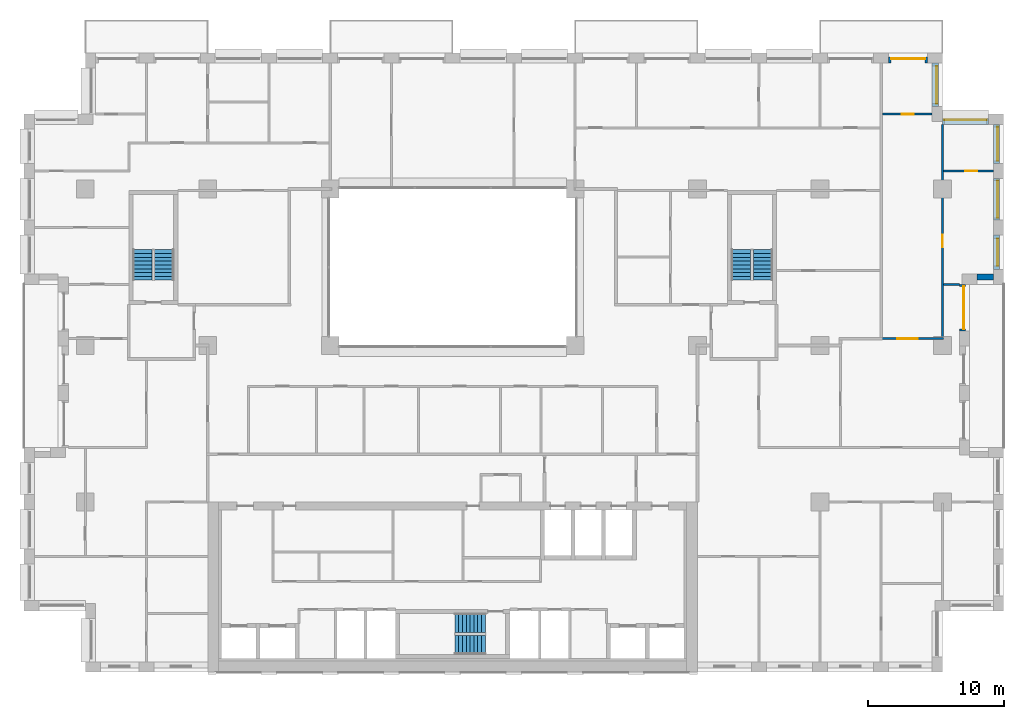
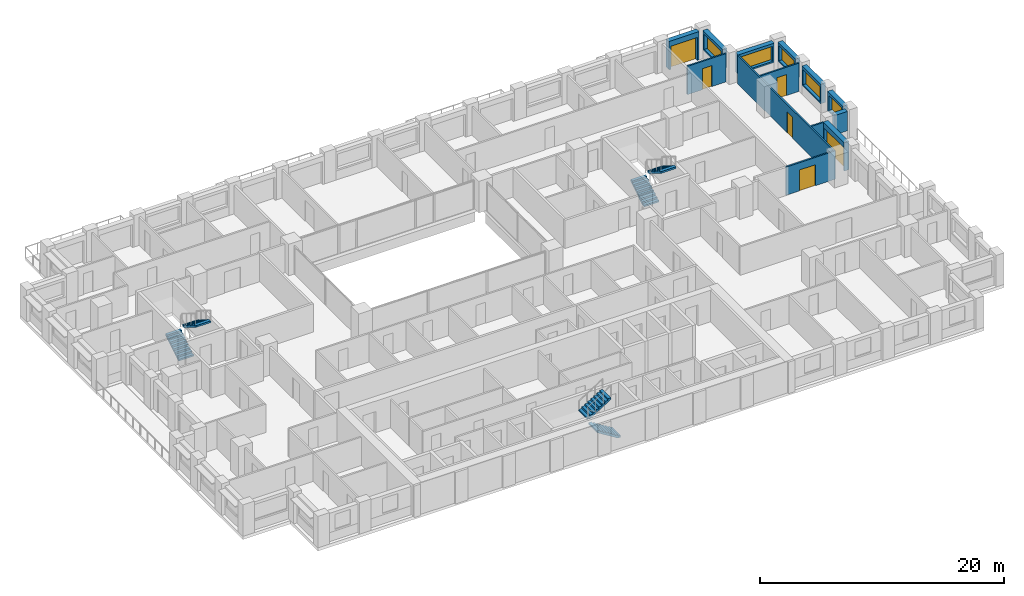
# One storey, part 15 of 16: 13 walls, 6 doors, 6 stair flights, 5 windows, 11 openings, 3 elements without a shape of their own.
"""IFC4 building model written with IfcOpenShell, lengths in metres."""

from ifc_helpers import new_model, si_unit, direction, frame, frame_2d, origin, place, context, subcontext, project, spatial, polyline, rectangle, outline, extrude, material, layer, layer_set, type_object, element, fill, aggregate, save


model = new_model("IFC4")

# Units and contexts
model_context = context("Model", 3, precision=1e-05, world=origin(), true_north=direction((0.0, 1.0)))
body_context = subcontext(model_context, "Body", "Model", "MODEL_VIEW")
ifc_project = project(units=[si_unit("LENGTHUNIT", "METRE"), si_unit("AREAUNIT", "SQUARE_METRE"), si_unit("VOLUMEUNIT", "CUBIC_METRE"), si_unit("PLANEANGLEUNIT", "RADIAN"), si_unit("MASSUNIT", "GRAM", prefix="KILO")], contexts=[model_context])

# Site, building, storey
site_placement = place(None, origin())
site = spatial("IfcSite", under=ifc_project, at=site_placement, CompositionType="ELEMENT")
building_placement = place(site_placement, origin())
building = spatial("IfcBuilding", under=site, at=building_placement, Name="Brigalow Station Residences", CompositionType="ELEMENT")
storey_placement = place(building_placement, frame((0.0, 0.0, 99.300048828125)))
storey = spatial("IfcBuildingStorey", under=building, at=storey_placement, Name="L28", CompositionType="ELEMENT", Elevation=99.300048828125)

# Wall, opening, door
ifc_material_1 = material(Name="Clay brick masonry", Category="masonry")
ifc_layer_1 = layer(ifc_material_1, 0.449951171875)
ifc_layer_set_1 = layer_set([ifc_layer_1], Name="BRICK INFILL WALL 450")
wall_type_1 = type_object("IfcWallType", Name="BRICK INFILL WALL 450", PredefinedType="SOLIDWALL", material=ifc_layer_set_1)
wall_1_placement = place(storey_placement, frame((73.47509765625, 25.050048828125, 0.0), z_axis=(0.0, 0.0, 1.0), x_axis=(0.0, 1.0, 0.0)))
wall_1 = element("IfcWall", 1, at=wall_1_placement, inside=storey, type_object=wall_type_1, Name="L28/ewall/W-L28-16", PredefinedType="SOLIDWALL", context=body_context, shape_type="SweptSolid", body=[
    extrude(rectangle(XDim=3.449951171875, YDim=0.449951171875, at=frame_2d((1.72509765625, 0.0))), origin(), (0.0, 0.0, 1.0), 2.829833984375),
])
opening_1_placement = place(wall_1_placement, frame((0.14990234375, 0.0, 0.0)))
opening_1 = element("IfcOpeningElement", 2, at=opening_1_placement, cuts=wall_1, Name="Opening D-B3150", PredefinedType="OPENING", context=body_context, shape_type="SweptSolid", body=[
    extrude(rectangle(XDim=3.14990234375, YDim=2.300048828125, at=frame_2d((1.574951171875, 1.14990234375))), frame((0.0, 0.23486328125, 0.0), z_axis=(0.0, -1.0, 0.0), x_axis=(1.0, 0.0, 0.0)), (0.0, 0.0, 1.0), 0.469970703125),
])
ifc_material_2 = material(Name="Anodised aluminium frame with double glazing", Category="aluminium")
door_type_1 = type_object("IfcDoorType", Name="BALCONY SLIDING DOOR 3150x2300", OperationType="SLIDING_TO_LEFT", PredefinedType="DOOR", material=ifc_material_2)
door_1_placement = place(opening_1_placement, origin())
door_1 = element("IfcDoor", 3, at=door_1_placement, inside=storey, type_object=door_type_1, Name="L28/balcony-door/W-L28-16", OperationType="SLIDING_TO_LEFT", OverallHeight=2.300048828125, OverallWidth=3.14990234375, PredefinedType="DOOR", context=body_context, shape_type="SweptSolid", body=[
    extrude(rectangle(XDim=3.14990234375, YDim=2.300048828125, at=frame_2d((1.574951171875, 1.14990234375))), frame((0.0, -0.06982421875, 0.0), z_axis=(0.0, -1.0, 0.0), x_axis=(1.0, 0.0, 0.0)), (0.0, 0.0, 1.0), 0.050048828125),
])
fill(opening_1, door_1)

# Wall
wall_2_placement = place(storey_placement, frame((74.550048828125, 29.02490234375, 0.89990234375), z_axis=(0.0, 0.0, 1.0), x_axis=(1.0, 0.0, 0.0)))
element("IfcWall", 4, at=wall_2_placement, inside=storey, type_object=wall_type_1, Name="L28/ewall/W-L28-17", PredefinedType="SOLIDWALL", context=body_context, shape_type="SweptSolid", body=[
    extrude(rectangle(XDim=1.199951171875, YDim=0.449951171875, at=frame_2d((0.60009765625, 0.0))), origin(), (0.0, 0.0, 1.0), 1.929931640625),
])

# Wall, opening, window
wall_3_placement = place(storey_placement, frame((75.97509765625, 29.60009765625, 0.89990234375), z_axis=(0.0, 0.0, 1.0), x_axis=(0.0, 1.0, 0.0)))
wall_3 = element("IfcWall", 5, at=wall_3_placement, inside=storey, type_object=wall_type_1, Name="L28/ewall/W-L28-18", PredefinedType="SOLIDWALL", context=body_context, shape_type="SweptSolid", body=[
    extrude(rectangle(XDim=2.516845703125, YDim=0.449951171875, at=frame_2d((1.25830078125, 0.0))), origin(), (0.0, 0.0, 1.0), 1.929931640625),
])
opening_2_placement = place(wall_3_placement, frame((0.258544921875, 0.0, 0.14990234375)))
opening_2 = element("IfcOpeningElement", 6, at=opening_2_placement, cuts=wall_3, Name="Opening WT-7", PredefinedType="OPENING", context=body_context, shape_type="SweptSolid", body=[
    extrude(rectangle(XDim=2.0, YDim=1.5, at=frame_2d((1.0, 0.75))), frame((0.0, 0.23486328125, 0.0), z_axis=(0.0, -1.0, 0.0), x_axis=(1.0, 0.0, 0.0)), (0.0, 0.0, 1.0), 0.469970703125),
])
ifc_material_3 = material(Name="Anodised aluminium frame with double glazing", Category="aluminium")
window_type_1 = type_object("IfcWindowType", Name="WINDOW 2000x1500", PartitioningType="SINGLE_PANEL", PredefinedType="WINDOW", material=ifc_material_3)
window_1_placement = place(opening_2_placement, origin())
window_1 = element("IfcWindow", 7, at=window_1_placement, inside=storey, type_object=window_type_1, Name="L28/window/W-L28-18", OverallHeight=1.5, OverallWidth=2.0, PartitioningType="SINGLE_PANEL", PredefinedType="WINDOW", context=body_context, shape_type="SweptSolid", body=[
    extrude(rectangle(XDim=2.0, YDim=1.5, at=frame_2d((1.0, 0.75))), frame((0.0, -0.06494140625, 0.0), z_axis=(0.0, -1.0, 0.0), x_axis=(1.0, 0.0, 0.0)), (0.0, 0.0, 1.0), 0.06005859375),
])
fill(opening_2, window_1)

wall_4_placement = place(storey_placement, frame((75.97509765625, 33.217041015625, 0.89990234375), z_axis=(0.0, 0.0, 1.0), x_axis=(0.0, 1.0, 0.0)))
wall_4 = element("IfcWall", 8, at=wall_4_placement, inside=storey, type_object=wall_type_1, Name="L28/ewall/W-L28-19", PredefinedType="SOLIDWALL", context=body_context, shape_type="SweptSolid", body=[
    extrude(rectangle(XDim=3.06591796875, YDim=0.449951171875, at=frame_2d((1.532958984375, 0.0))), origin(), (0.0, 0.0, 1.0), 1.929931640625),
])
opening_3_placement = place(wall_4_placement, frame((0.157958984375, 0.0, 0.14990234375)))
opening_3 = element("IfcOpeningElement", 9, at=opening_3_placement, cuts=wall_4, Name="Opening WT-3", PredefinedType="OPENING", context=body_context, shape_type="SweptSolid", body=[
    extrude(rectangle(XDim=2.75, YDim=1.5, at=frame_2d((1.375, 0.75))), frame((0.0, 0.23486328125, 0.0), z_axis=(0.0, -1.0, 0.0), x_axis=(1.0, 0.0, 0.0)), (0.0, 0.0, 1.0), 0.469970703125),
])
ifc_material_4 = material(Name="Anodised aluminium frame with double glazing", Category="aluminium")
window_type_2 = type_object("IfcWindowType", Name="WINDOW 2750x1500", PartitioningType="SINGLE_PANEL", PredefinedType="WINDOW", material=ifc_material_4)
window_2_placement = place(opening_3_placement, origin())
window_2 = element("IfcWindow", 10, at=window_2_placement, inside=storey, type_object=window_type_2, Name="L28/window/W-L28-19", OverallHeight=1.5, OverallWidth=2.75, PartitioningType="SINGLE_PANEL", PredefinedType="WINDOW", context=body_context, shape_type="SweptSolid", body=[
    extrude(rectangle(XDim=2.75, YDim=1.5, at=frame_2d((1.375, 0.75))), frame((0.0, -0.06494140625, 0.0), z_axis=(0.0, -1.0, 0.0), x_axis=(1.0, 0.0, 0.0)), (0.0, 0.0, 1.0), 0.06005859375),
])
fill(opening_3, window_2)

wall_5_placement = place(storey_placement, frame((75.97509765625, 37.383056640625, 0.89990234375), z_axis=(0.0, 0.0, 1.0), x_axis=(0.0, 1.0, 0.0)))
wall_5 = element("IfcWall", 11, at=wall_5_placement, inside=storey, type_object=wall_type_1, Name="L28/ewall/W-L28-20", PredefinedType="SOLIDWALL", context=body_context, shape_type="SweptSolid", body=[
    extrude(rectangle(XDim=2.866943359375, YDim=0.449951171875, at=frame_2d((1.43359375, 0.0))), origin(), (0.0, 0.0, 1.0), 1.929931640625),
])
opening_4_placement = place(wall_5_placement, frame((0.18359375, 0.0, 0.14990234375)))
opening_4 = element("IfcOpeningElement", 12, at=opening_4_placement, cuts=wall_5, Name="Opening WT-5", PredefinedType="OPENING", context=body_context, shape_type="SweptSolid", body=[
    extrude(rectangle(XDim=2.5, YDim=1.5, at=frame_2d((1.25, 0.75))), frame((0.0, 0.23486328125, 0.0), z_axis=(0.0, -1.0, 0.0), x_axis=(1.0, 0.0, 0.0)), (0.0, 0.0, 1.0), 0.469970703125),
])
ifc_material_5 = material(Name="Anodised aluminium frame with double glazing", Category="aluminium")
window_type_3 = type_object("IfcWindowType", Name="WINDOW 2500x1500", PartitioningType="SINGLE_PANEL", PredefinedType="WINDOW", material=ifc_material_5)
window_3_placement = place(opening_4_placement, origin())
window_3 = element("IfcWindow", 13, at=window_3_placement, inside=storey, type_object=window_type_3, Name="L28/window/W-L28-20", OverallHeight=1.5, OverallWidth=2.5, PartitioningType="SINGLE_PANEL", PredefinedType="WINDOW", context=body_context, shape_type="SweptSolid", body=[
    extrude(rectangle(XDim=2.5, YDim=1.5, at=frame_2d((1.25, 0.75))), frame((0.0, -0.06494140625, 0.0), z_axis=(0.0, -1.0, 0.0), x_axis=(1.0, 0.0, 0.0)), (0.0, 0.0, 1.0), 0.06005859375),
])
fill(opening_4, window_3)

wall_6_placement = place(storey_placement, frame((75.39990234375, 40.47509765625, 0.89990234375), z_axis=(0.0, 0.0, 1.0), x_axis=(-1.0, 0.0, 0.0)))
wall_6 = element("IfcWall", 14, at=wall_6_placement, inside=storey, type_object=wall_type_1, Name="L28/ewall/W-L28-21", PredefinedType="SOLIDWALL", context=body_context, shape_type="SweptSolid", body=[
    extrude(rectangle(XDim=3.39990234375, YDim=0.449951171875, at=frame_2d((1.699951171875, 0.0))), origin(), (0.0, 0.0, 1.0), 1.929931640625),
])
opening_5_placement = place(wall_6_placement, frame((0.14990234375, 0.0, 0.14990234375)))
opening_5 = element("IfcOpeningElement", 15, at=opening_5_placement, cuts=wall_6, Name="Opening WT-8", PredefinedType="OPENING", context=body_context, shape_type="SweptSolid", body=[
    extrude(rectangle(XDim=3.10009765625, YDim=1.5, at=frame_2d((1.550048828125, 0.75))), frame((0.0, 0.23486328125, 0.0), z_axis=(0.0, -1.0, 0.0), x_axis=(1.0, 0.0, 0.0)), (0.0, 0.0, 1.0), 0.469970703125),
])
ifc_material_6 = material(Name="Anodised aluminium frame with double glazing", Category="aluminium")
window_type_4 = type_object("IfcWindowType", Name="WINDOW 3100x1500", PartitioningType="SINGLE_PANEL", PredefinedType="WINDOW", material=ifc_material_6)
window_4_placement = place(opening_5_placement, origin())
window_4 = element("IfcWindow", 16, at=window_4_placement, inside=storey, type_object=window_type_4, Name="L28/window/W-L28-21", OverallHeight=1.5, OverallWidth=3.10009765625, PartitioningType="SINGLE_PANEL", PredefinedType="WINDOW", context=body_context, shape_type="SweptSolid", body=[
    extrude(rectangle(XDim=3.10009765625, YDim=1.5, at=frame_2d((1.550048828125, 0.75))), frame((0.0, -0.06494140625, 0.0), z_axis=(0.0, -1.0, 0.0), x_axis=(1.0, 0.0, 0.0)), (0.0, 0.0, 1.0), 0.06005859375),
])
fill(opening_5, window_4)

wall_7_placement = place(storey_placement, frame((71.47509765625, 41.550048828125, 0.89990234375), z_axis=(0.0, 0.0, 1.0), x_axis=(0.0, 1.0, 0.0)))
wall_7 = element("IfcWall", 17, at=wall_7_placement, inside=storey, type_object=wall_type_1, Name="L28/ewall/W-L28-22", PredefinedType="SOLIDWALL", context=body_context, shape_type="SweptSolid", body=[
    extrude(rectangle(XDim=3.199951171875, YDim=0.449951171875, at=frame_2d((1.60009765625, 0.0))), origin(), (0.0, 0.0, 1.0), 1.929931640625),
])
opening_6_placement = place(wall_7_placement, frame((0.22509765625, 0.0, 0.14990234375)))
opening_6 = element("IfcOpeningElement", 18, at=opening_6_placement, cuts=wall_7, Name="Opening WT-3", PredefinedType="OPENING", context=body_context, shape_type="SweptSolid", body=[
    extrude(rectangle(XDim=2.75, YDim=1.5, at=frame_2d((1.375, 0.75))), frame((0.0, 0.23486328125, 0.0), z_axis=(0.0, -1.0, 0.0), x_axis=(1.0, 0.0, 0.0)), (0.0, 0.0, 1.0), 0.469970703125),
])
window_5_placement = place(opening_6_placement, origin())
window_5 = element("IfcWindow", 19, at=window_5_placement, inside=storey, type_object=window_type_2, Name="L28/window/W-L28-22", OverallHeight=1.5, OverallWidth=2.75, PartitioningType="SINGLE_PANEL", PredefinedType="WINDOW", context=body_context, shape_type="SweptSolid", body=[
    extrude(rectangle(XDim=2.75, YDim=1.5, at=frame_2d((1.375, 0.75))), frame((0.0, -0.06494140625, 0.0), z_axis=(0.0, -1.0, 0.0), x_axis=(1.0, 0.0, 0.0)), (0.0, 0.0, 1.0), 0.06005859375),
])
fill(opening_6, window_5)

# Wall, opening, door
wall_8_placement = place(storey_placement, frame((70.89990234375, 44.97509765625, 0.0), z_axis=(0.0, 0.0, 1.0), x_axis=(-1.0, 0.0, 0.0)))
wall_8 = element("IfcWall", 20, at=wall_8_placement, inside=storey, type_object=wall_type_1, Name="L28/ewall/W-L28-23", PredefinedType="SOLIDWALL", context=body_context, shape_type="SweptSolid", body=[
    extrude(rectangle(XDim=2.849853515625, YDim=0.449951171875, at=frame_2d((1.4248046875, 0.0))), origin(), (0.0, 0.0, 1.0), 2.829833984375),
])
opening_7_placement = place(wall_8_placement, frame((0.175048828125, 0.0, 0.0)))
opening_7 = element("IfcOpeningElement", 21, at=opening_7_placement, cuts=wall_8, Name="Opening D-B2500", PredefinedType="OPENING", context=body_context, shape_type="SweptSolid", body=[
    extrude(rectangle(XDim=2.5, YDim=2.300048828125, at=frame_2d((1.25, 1.14990234375))), frame((0.0, 0.23486328125, 0.0), z_axis=(0.0, -1.0, 0.0), x_axis=(1.0, 0.0, 0.0)), (0.0, 0.0, 1.0), 0.469970703125),
])
ifc_material_7 = material(Name="Anodised aluminium frame with double glazing", Category="aluminium")
door_type_2 = type_object("IfcDoorType", Name="BALCONY SLIDING DOOR 2500x2300", OperationType="SLIDING_TO_LEFT", PredefinedType="DOOR", material=ifc_material_7)
door_2_placement = place(opening_7_placement, origin())
door_2 = element("IfcDoor", 22, at=door_2_placement, inside=storey, type_object=door_type_2, Name="L28/balcony-door/W-L28-23", OperationType="SLIDING_TO_LEFT", OverallHeight=2.300048828125, OverallWidth=2.5, PredefinedType="DOOR", context=body_context, shape_type="SweptSolid", body=[
    extrude(rectangle(XDim=2.5, YDim=2.300048828125, at=frame_2d((1.25, 1.14990234375))), frame((0.0, -0.06982421875, 0.0), z_axis=(0.0, -1.0, 0.0), x_axis=(1.0, 0.0, 0.0)), (0.0, 0.0, 1.0), 0.050048828125),
])
fill(opening_7, door_2)

ifc_material_8 = material(Name="Plasterboard on steel stud partition", Category="steel")
ifc_layer_2 = layer(ifc_material_8, 0.14990234375)
ifc_layer_set_2 = layer_set([ifc_layer_2], Name="FLAT PARTITION 150")
wall_type_2 = type_object("IfcWallType", Name="FLAT PARTITION 150", PredefinedType="PARTITIONING", material=ifc_layer_set_2)
wall_9_placement = place(storey_placement, frame((67.39990234375, 24.5, 0.0), z_axis=(0.0, 0.0, 1.0), x_axis=(1.0, 0.0, 0.0)))
wall_9 = element("IfcWall", 23, at=wall_9_placement, inside=storey, type_object=wall_type_2, Name="PW-2B19", PredefinedType="PARTITIONING", context=body_context, shape_type="SweptSolid", body=[
    extrude(rectangle(XDim=4.675048828125, YDim=0.14990234375, at=frame_2d((2.33740234375, 0.0))), origin(), (0.0, 0.0, 1.0), 2.829833984375),
])
opening_8_placement = place(wall_9_placement, frame((1.27490234375, 0.0, 0.0)))
opening_8 = element("IfcOpeningElement", 24, at=opening_8_placement, cuts=wall_9, Name="Opening D-2B43", PredefinedType="OPENING", context=body_context, shape_type="SweptSolid", body=[
    extrude(rectangle(XDim=1.5, YDim=2.10009765625, at=frame_2d((0.75, 1.050048828125))), frame((0.0, 0.0849609375, 0.0), z_axis=(0.0, -1.0, 0.0), x_axis=(1.0, 0.0, 0.0)), (0.0, 0.0, 1.0), 0.169921875),
])
ifc_material_9 = material(Name="Solid-core timber door leaf", Category="wood")
door_type_3 = type_object("IfcDoorType", Name="INTERNAL DOUBLE DOOR 1500 x 2100", OperationType="DOUBLE_DOOR_SINGLE_SWING", PredefinedType="DOOR", material=ifc_material_9)
door_3_placement = place(opening_8_placement, origin())
door_3 = element("IfcDoor", 25, at=door_3_placement, inside=storey, type_object=door_type_3, Name="D-2B43", OperationType="DOUBLE_DOOR_SINGLE_SWING", OverallHeight=2.10009765625, OverallWidth=1.5, PredefinedType="DOOR", context=body_context, shape_type="SweptSolid", body=[
    extrude(rectangle(XDim=1.5, YDim=2.10009765625, at=frame_2d((0.75, 1.050048828125))), frame((0.0, 0.02490234375, 0.0), z_axis=(0.0, -1.0, 0.0), x_axis=(1.0, 0.0, 0.0)), (0.0, 0.0, 1.0), 0.050048828125),
])
fill(opening_8, door_3)

# Wall
wall_10_placement = place(storey_placement, frame((72.074951171875, 28.5, 0.0), z_axis=(0.0, 0.0, 1.0), x_axis=(1.0, 0.0, 0.0)))
element("IfcWall", 26, at=wall_10_placement, inside=storey, type_object=wall_type_2, Name="PW-2B22", PredefinedType="PARTITIONING", context=body_context, shape_type="SweptSolid", body=[
    extrude(rectangle(XDim=1.175048828125, YDim=0.14990234375, at=frame_2d((0.58740234375, 0.0))), origin(), (0.0, 0.0, 1.0), 2.829833984375),
])

# Wall, opening, door
wall_11_placement = place(storey_placement, frame((72.074951171875, 36.8330078125, 0.0), z_axis=(0.0, 0.0, 1.0), x_axis=(1.0, 0.0, 0.0)))
wall_11 = element("IfcWall", 27, at=wall_11_placement, inside=storey, type_object=wall_type_2, Name="PW-2B25", PredefinedType="PARTITIONING", context=body_context, shape_type="SweptSolid", body=[
    extrude(rectangle(XDim=3.675048828125, YDim=0.14990234375, at=frame_2d((1.83740234375, 0.0))), origin(), (0.0, 0.0, 1.0), 2.829833984375),
])
opening_9_placement = place(wall_11_placement, frame((1.60009765625, 0.0, 0.0)))
opening_9 = element("IfcOpeningElement", 28, at=opening_9_placement, cuts=wall_11, Name="Opening D-2B45", PredefinedType="OPENING", context=body_context, shape_type="SweptSolid", body=[
    extrude(rectangle(XDim=0.89990234375, YDim=2.10009765625, at=frame_2d((0.449951171875, 1.050048828125))), frame((0.0, 0.0849609375, 0.0), z_axis=(0.0, -1.0, 0.0), x_axis=(1.0, 0.0, 0.0)), (0.0, 0.0, 1.0), 0.169921875),
])
ifc_material_10 = material(Name="Solid-core timber door leaf", Category="wood")
door_type_4 = type_object("IfcDoorType", Name="INTERNAL DOOR 900 x 2100", OperationType="SINGLE_SWING_LEFT", PredefinedType="DOOR", material=ifc_material_10)
door_4_placement = place(opening_9_placement, origin())
door_4 = element("IfcDoor", 29, at=door_4_placement, inside=storey, type_object=door_type_4, Name="D-2B45", OperationType="SINGLE_SWING_RIGHT", OverallHeight=2.10009765625, OverallWidth=0.89990234375, PredefinedType="DOOR", context=body_context, shape_type="SweptSolid", body=[
    extrude(rectangle(XDim=0.89990234375, YDim=2.10009765625, at=frame_2d((0.449951171875, 1.050048828125))), frame((0.0, 0.02490234375, 0.0), z_axis=(0.0, -1.0, 0.0), x_axis=(1.0, 0.0, 0.0)), (0.0, 0.0, 1.0), 0.050048828125),
])
fill(opening_9, door_4)

wall_12_placement = place(storey_placement, frame((67.60009765625, 41.0, 0.0), z_axis=(0.0, 0.0, 1.0), x_axis=(1.0, 0.0, 0.0)))
wall_12 = element("IfcWall", 30, at=wall_12_placement, inside=storey, type_object=wall_type_2, Name="PW-2B31", PredefinedType="PARTITIONING", context=body_context, shape_type="SweptSolid", body=[
    extrude(rectangle(XDim=3.64990234375, YDim=0.14990234375, at=frame_2d((1.824951171875, 0.0))), origin(), (0.0, 0.0, 1.0), 2.829833984375),
])
opening_10_placement = place(wall_12_placement, frame((1.39990234375, 0.0, 0.0)))
opening_10 = element("IfcOpeningElement", 31, at=opening_10_placement, cuts=wall_12, Name="Opening D-2B46", PredefinedType="OPENING", context=body_context, shape_type="SweptSolid", body=[
    extrude(rectangle(XDim=0.89990234375, YDim=2.10009765625, at=frame_2d((0.449951171875, 1.050048828125))), frame((0.0, 0.0849609375, 0.0), z_axis=(0.0, -1.0, 0.0), x_axis=(1.0, 0.0, 0.0)), (0.0, 0.0, 1.0), 0.169921875),
])
door_5_placement = place(opening_10_placement, origin())
door_5 = element("IfcDoor", 32, at=door_5_placement, inside=storey, type_object=door_type_4, Name="D-2B46", OperationType="SINGLE_SWING_RIGHT", OverallHeight=2.10009765625, OverallWidth=0.89990234375, PredefinedType="DOOR", context=body_context, shape_type="SweptSolid", body=[
    extrude(rectangle(XDim=0.89990234375, YDim=2.10009765625, at=frame_2d((0.449951171875, 1.050048828125))), frame((0.0, 0.02490234375, 0.0), z_axis=(0.0, -1.0, 0.0), x_axis=(1.0, 0.0, 0.0)), (0.0, 0.0, 1.0), 0.050048828125),
])
fill(opening_10, door_5)

wall_13_placement = place(storey_placement, frame((72.0, 24.574951171875, 0.0), z_axis=(0.0, 0.0, 1.0), x_axis=(0.0, 1.0, 0.0)))
wall_13 = element("IfcWall", 33, at=wall_13_placement, inside=storey, type_object=wall_type_2, Name="PW-2B68", PredefinedType="PARTITIONING", context=body_context, shape_type="SweptSolid", body=[
    extrude(rectangle(XDim=15.675048828125, YDim=0.14990234375, at=frame_2d((7.83740234375, 0.0))), origin(), (0.0, 0.0, 1.0), 2.829833984375),
])
opening_11_placement = place(wall_13_placement, frame((6.64990234375, 0.0, 0.0)))
opening_11 = element("IfcOpeningElement", 34, at=opening_11_placement, cuts=wall_13, Name="Opening D-2B44", PredefinedType="OPENING", context=body_context, shape_type="SweptSolid", body=[
    extrude(rectangle(XDim=0.89990234375, YDim=2.10009765625, at=frame_2d((0.449951171875, 1.050048828125))), frame((0.0, 0.0849609375, 0.0), z_axis=(0.0, -1.0, 0.0), x_axis=(1.0, 0.0, 0.0)), (0.0, 0.0, 1.0), 0.169921875),
])
door_6_placement = place(opening_11_placement, frame((0.89990234375, 0.0, 0.0), z_axis=(0.0, 0.0, 1.0), x_axis=(-1.0, 0.0, 0.0)))
door_6 = element("IfcDoor", 35, at=door_6_placement, inside=storey, type_object=door_type_4, Name="D-2B44", OperationType="SINGLE_SWING_RIGHT", OverallHeight=2.10009765625, OverallWidth=0.89990234375, PredefinedType="DOOR", context=body_context, shape_type="SweptSolid", body=[
    extrude(rectangle(XDim=0.89990234375, YDim=2.10009765625, at=frame_2d((0.449951171875, 1.050048828125))), frame((0.0, 0.02490234375, 0.0), z_axis=(0.0, -1.0, 0.0), x_axis=(1.0, 0.0, 0.0)), (0.0, 0.0, 1.0), 0.050048828125),
])
fill(opening_11, door_6)

# Stair, stair flights
ifc_material_11 = material(Name="Concrete C50", Category="concrete")
stair_type = type_object("IfcStairType", Name="EXIT STAIR 1400 2 FLIGHT", PredefinedType="HALF_TURN_STAIR", material=ifc_material_11)
stair_1_placement = place(storey_placement, origin())
stair_1 = element("IfcStair", 36, at=stair_1_placement, inside=storey, type_object=stair_type, Name="EXIT STAIR S2 L28", PredefinedType="HALF_TURN_STAIR")
ifc_material_12 = material(Name="Concrete C50", Category="concrete")
stair_flight_type = type_object("IfcStairFlightType", Name="STAIR FLIGHT 1400", PredefinedType="STRAIGHT", material=ifc_material_12)
stair_flight_1_placement = place(storey_placement, frame((38.39990234375, 2.0, 0.0), z_axis=(0.0, 0.0, 1.0), x_axis=(-1.0, 0.0, 0.0)))
stair_flight_1 = element("IfcStairFlight", 37, at=stair_flight_1_placement, type_object=stair_flight_type, Name="ST-2 flight 1", NumberOfRisers=9, NumberOfTreads=8, PredefinedType="STRAIGHT", RiserHeight=0.175, TreadLength=0.28, context=body_context, shape_type="SweptSolid", body=[
    extrude(outline(polyline([(0.0, 0.0), (0.0, 0.175048828125), (0.280029296875, 0.175048828125), (0.280029296875, 0.35009765625), (0.56005859375, 0.35009765625), (0.56005859375, 0.52490234375), (0.840087890625, 0.52490234375), (0.840087890625, 0.699951171875), (1.1201171875, 0.699951171875), (1.1201171875, 0.875), (1.39990234375, 0.875), (1.39990234375, 1.050048828125), (1.679931640625, 1.050048828125), (1.679931640625, 1.22509765625), (1.9599609375, 1.22509765625), (1.9599609375, 1.39990234375), (2.239990234375, 1.39990234375), (2.239990234375, 1.574951171875), (2.239990234375, 1.22314453125), (0.28271484375, 0.0), (0.0, 0.0)])), frame((0.0, 0.699951171875, 0.0), z_axis=(0.0, -1.0, 0.0), x_axis=(1.0, 0.0, 0.0)), (0.0, 0.0, 1.0), 1.39990234375),
])
stair_flight_2_placement = place(storey_placement, frame((36.159912109375, 3.60009765625, 1.574951171875), z_axis=(0.0, 0.0, 1.0), x_axis=(1.0, 0.0, 0.0)))
stair_flight_2 = element("IfcStairFlight", 38, at=stair_flight_2_placement, type_object=stair_flight_type, Name="ST-2 flight 2", NumberOfRisers=9, NumberOfTreads=8, PredefinedType="STRAIGHT", RiserHeight=0.175, TreadLength=0.28, context=body_context, shape_type="SweptSolid", body=[
    extrude(outline(polyline([(0.0, 0.0), (0.0, 0.175048828125), (0.280029296875, 0.175048828125), (0.280029296875, 0.35009765625), (0.56005859375, 0.35009765625), (0.56005859375, 0.52490234375), (0.840087890625, 0.52490234375), (0.840087890625, 0.699951171875), (1.1201171875, 0.699951171875), (1.1201171875, 0.875), (1.39990234375, 0.875), (1.39990234375, 1.050048828125), (1.679931640625, 1.050048828125), (1.679931640625, 1.22509765625), (1.9599609375, 1.22509765625), (1.9599609375, 1.39990234375), (2.239990234375, 1.39990234375), (2.239990234375, 1.574951171875), (2.239990234375, 1.22314453125), (0.28271484375, 0.0), (0.0, 0.0)])), frame((0.0, 0.699951171875, 0.0), z_axis=(0.0, -1.0, 0.0), x_axis=(1.0, 0.0, 0.0)), (0.0, 0.0, 1.0), 1.39990234375),
])
aggregate(stair_1, [stair_flight_1, stair_flight_2])

stair_2_placement = place(storey_placement, origin())
stair_2 = element("IfcStair", 39, at=stair_2_placement, inside=storey, type_object=stair_type, Name="EXIT STAIR S1 L28", PredefinedType="HALF_TURN_STAIR")
stair_flight_3_placement = place(storey_placement, frame((13.199951171875, 28.800048828125, 0.0), z_axis=(0.0, 0.0, 1.0), x_axis=(0.0, 1.0, 0.0)))
stair_flight_3 = element("IfcStairFlight", 40, at=stair_flight_3_placement, type_object=stair_flight_type, Name="ST-1 flight 1", NumberOfRisers=9, NumberOfTreads=8, PredefinedType="STRAIGHT", RiserHeight=0.175, TreadLength=0.28, context=body_context, shape_type="SweptSolid", body=[
    extrude(outline(polyline([(0.0, 0.0), (0.0, 0.175048828125), (0.280029296875, 0.175048828125), (0.280029296875, 0.35009765625), (0.56005859375, 0.35009765625), (0.56005859375, 0.52490234375), (0.840087890625, 0.52490234375), (0.840087890625, 0.699951171875), (1.1201171875, 0.699951171875), (1.1201171875, 0.875), (1.39990234375, 0.875), (1.39990234375, 1.050048828125), (1.679931640625, 1.050048828125), (1.679931640625, 1.22509765625), (1.9599609375, 1.22509765625), (1.9599609375, 1.39990234375), (2.239990234375, 1.39990234375), (2.239990234375, 1.574951171875), (2.239990234375, 1.22314453125), (0.28271484375, 0.0), (0.0, 0.0)])), frame((0.0, 0.699951171875, 0.0), z_axis=(0.0, -1.0, 0.0), x_axis=(1.0, 0.0, 0.0)), (0.0, 0.0, 1.0), 1.39990234375),
])
stair_flight_4_placement = place(storey_placement, frame((14.800048828125, 31.0400390625, 1.574951171875), z_axis=(0.0, 0.0, 1.0), x_axis=(0.0, -1.0, 0.0)))
stair_flight_4 = element("IfcStairFlight", 41, at=stair_flight_4_placement, type_object=stair_flight_type, Name="ST-1 flight 2", NumberOfRisers=9, NumberOfTreads=8, PredefinedType="STRAIGHT", RiserHeight=0.175, TreadLength=0.28, context=body_context, shape_type="SweptSolid", body=[
    extrude(outline(polyline([(0.0, 0.0), (0.0, 0.175048828125), (0.280029296875, 0.175048828125), (0.280029296875, 0.35009765625), (0.56005859375, 0.35009765625), (0.56005859375, 0.52490234375), (0.840087890625, 0.52490234375), (0.840087890625, 0.699951171875), (1.1201171875, 0.699951171875), (1.1201171875, 0.875), (1.39990234375, 0.875), (1.39990234375, 1.050048828125), (1.679931640625, 1.050048828125), (1.679931640625, 1.22509765625), (1.9599609375, 1.22509765625), (1.9599609375, 1.39990234375), (2.239990234375, 1.39990234375), (2.239990234375, 1.574951171875), (2.239990234375, 1.22314453125), (0.28271484375, 0.0), (0.0, 0.0)])), frame((0.0, 0.699951171875, 0.0), z_axis=(0.0, -1.0, 0.0), x_axis=(1.0, 0.0, 0.0)), (0.0, 0.0, 1.0), 1.39990234375),
])
aggregate(stair_2, [stair_flight_3, stair_flight_4])

stair_3_placement = place(storey_placement, origin())
stair_3 = element("IfcStair", 42, at=stair_3_placement, inside=storey, type_object=stair_type, Name="EXIT STAIR S3 L28", PredefinedType="HALF_TURN_STAIR")
stair_flight_5_placement = place(storey_placement, frame((57.199951171875, 28.800048828125, 0.0), z_axis=(0.0, 0.0, 1.0), x_axis=(0.0, 1.0, 0.0)))
stair_flight_5 = element("IfcStairFlight", 43, at=stair_flight_5_placement, type_object=stair_flight_type, Name="ST-3 flight 1", NumberOfRisers=9, NumberOfTreads=8, PredefinedType="STRAIGHT", RiserHeight=0.175, TreadLength=0.28, context=body_context, shape_type="SweptSolid", body=[
    extrude(outline(polyline([(0.0, 0.0), (0.0, 0.175048828125), (0.280029296875, 0.175048828125), (0.280029296875, 0.35009765625), (0.56005859375, 0.35009765625), (0.56005859375, 0.52490234375), (0.840087890625, 0.52490234375), (0.840087890625, 0.699951171875), (1.1201171875, 0.699951171875), (1.1201171875, 0.875), (1.39990234375, 0.875), (1.39990234375, 1.050048828125), (1.679931640625, 1.050048828125), (1.679931640625, 1.22509765625), (1.9599609375, 1.22509765625), (1.9599609375, 1.39990234375), (2.239990234375, 1.39990234375), (2.239990234375, 1.574951171875), (2.239990234375, 1.22314453125), (0.28271484375, 0.0), (0.0, 0.0)])), frame((0.0, 0.699951171875, 0.0), z_axis=(0.0, -1.0, 0.0), x_axis=(1.0, 0.0, 0.0)), (0.0, 0.0, 1.0), 1.39990234375),
])
stair_flight_6_placement = place(storey_placement, frame((58.800048828125, 31.0400390625, 1.574951171875), z_axis=(0.0, 0.0, 1.0), x_axis=(0.0, -1.0, 0.0)))
stair_flight_6 = element("IfcStairFlight", 44, at=stair_flight_6_placement, type_object=stair_flight_type, Name="ST-3 flight 2", NumberOfRisers=9, NumberOfTreads=8, PredefinedType="STRAIGHT", RiserHeight=0.175, TreadLength=0.28, context=body_context, shape_type="SweptSolid", body=[
    extrude(outline(polyline([(0.0, 0.0), (0.0, 0.175048828125), (0.280029296875, 0.175048828125), (0.280029296875, 0.35009765625), (0.56005859375, 0.35009765625), (0.56005859375, 0.52490234375), (0.840087890625, 0.52490234375), (0.840087890625, 0.699951171875), (1.1201171875, 0.699951171875), (1.1201171875, 0.875), (1.39990234375, 0.875), (1.39990234375, 1.050048828125), (1.679931640625, 1.050048828125), (1.679931640625, 1.22509765625), (1.9599609375, 1.22509765625), (1.9599609375, 1.39990234375), (2.239990234375, 1.39990234375), (2.239990234375, 1.574951171875), (2.239990234375, 1.22314453125), (0.28271484375, 0.0), (0.0, 0.0)])), frame((0.0, 0.699951171875, 0.0), z_axis=(0.0, -1.0, 0.0), x_axis=(1.0, 0.0, 0.0)), (0.0, 0.0, 1.0), 1.39990234375),
])
aggregate(stair_3, [stair_flight_5, stair_flight_6])

save(model, "model.ifc")
